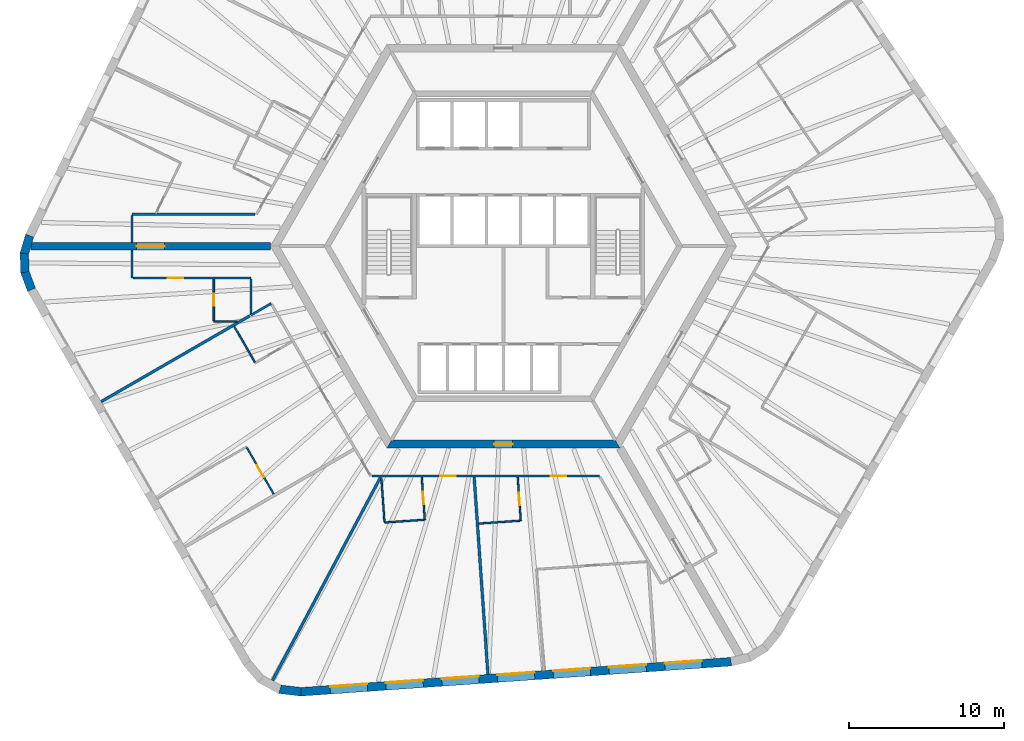
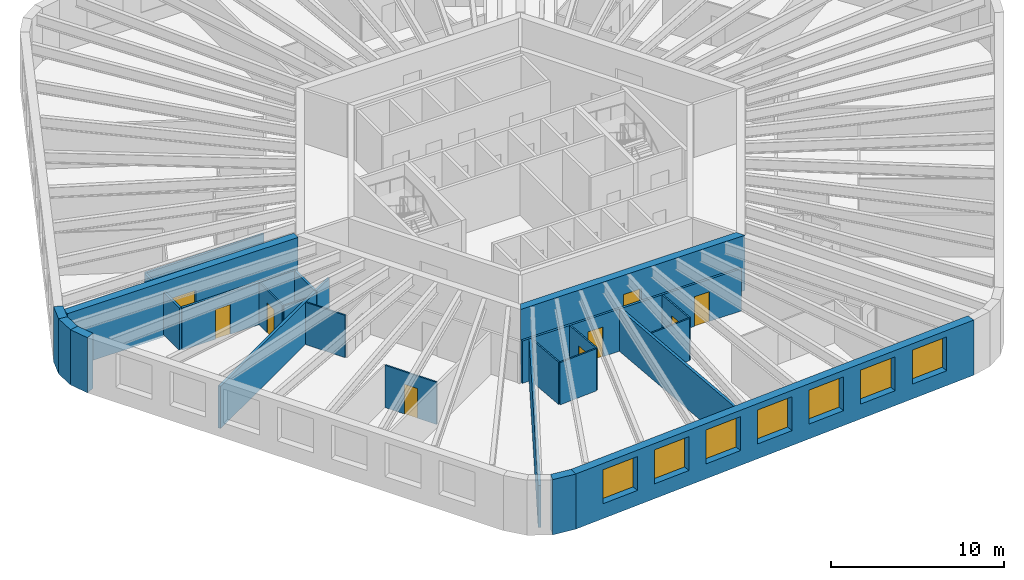
# One storey, part 3 of 10: 26 walls, 9 doors, 7 windows, 16 openings.
"""IFC4 building model written with IfcOpenShell, lengths in metres."""

from ifc_helpers import new_model, si_unit, direction, frame, frame_2d, origin, place, context, subcontext, project, spatial, polyline, rectangle, outline, extrude, material, layer, layer_set, type_object, element, fill, save


model = new_model("IFC4")

# Units and contexts
model_context = context("Model", 3, precision=1e-05, world=origin(), true_north=direction((0.0, 1.0)))
body_context = subcontext(model_context, "Body", "Model", "MODEL_VIEW")
ifc_project = project(units=[si_unit("LENGTHUNIT", "METRE"), si_unit("AREAUNIT", "SQUARE_METRE"), si_unit("VOLUMEUNIT", "CUBIC_METRE"), si_unit("PLANEANGLEUNIT", "RADIAN"), si_unit("MASSUNIT", "GRAM", prefix="KILO")], contexts=[model_context])

# Site, building, storey
site_placement = place(None, origin())
site = spatial("IfcSite", under=ifc_project, at=site_placement, CompositionType="ELEMENT")
building_placement = place(site_placement, origin())
building = spatial("IfcBuilding", under=site, at=building_placement, Name="Tarnside Tower", CompositionType="ELEMENT")
storey_placement = place(building_placement, frame((0.0, 0.0, 180.0)))
storey = spatial("IfcBuildingStorey", under=building, at=storey_placement, Name="L42", CompositionType="ELEMENT", Elevation=180.0)

# Wall
ifc_material_1 = material(Name="Gypsum board partition on steel studs", Category="steel")
ifc_layer_1 = layer(ifc_material_1, 0.10009765625)
ifc_layer_set_1 = layer_set([ifc_layer_1], Name="Bathroom wall 100")
wall_type_1 = type_object("IfcWallType", Name="Bathroom wall 100", PredefinedType="PARTITIONING", material=ifc_layer_set_1)
wall_1_placement = place(storey_placement, frame((-17.144775390625, -4.85009765625, 0.0), z_axis=(0.0, 0.0, 1.0), x_axis=(-1.0, 0.0, 0.0)))
element("IfcWall", 1, at=wall_1_placement, inside=storey, type_object=wall_type_1, Name="Bathroom wall 13070", PredefinedType="PARTITIONING", context=body_context, shape_type="SweptSolid", body=[
    extrude(rectangle(XDim=1.51123046875, YDim=0.10009765625, at=frame_2d((0.755615234375, 0.0))), origin(), (0.0, 0.0, 1.0), 2.98779296875),
])

# Wall, opening, door
wall_2_placement = place(storey_placement, frame((-18.656005859375, -4.800048828125, 0.0), z_axis=(0.0, 0.0, 1.0), x_axis=(0.0, 1.0, 0.0)))
wall_2 = element("IfcWall", 2, at=wall_2_placement, inside=storey, type_object=wall_type_1, Name="Bathroom wall 13071", PredefinedType="PARTITIONING", context=body_context, shape_type="SweptSolid", body=[
    extrude(rectangle(XDim=2.675048828125, YDim=0.10009765625, at=frame_2d((1.33740234375, 0.0))), origin(), (0.0, 0.0, 1.0), 2.98779296875),
])
opening_1_placement = place(wall_2_placement, frame((0.949951171875, 0.0, 0.0)))
opening_1 = element("IfcOpeningElement", 3, at=opening_1_placement, cuts=wall_2, Name="Opening D-B1", PredefinedType="OPENING", context=body_context, shape_type="SweptSolid", body=[
    extrude(rectangle(XDim=0.800048828125, YDim=2.10009765625, at=frame_2d((0.39990234375, 1.050048828125))), frame((0.0, 0.06005859375, 0.0), z_axis=(0.0, -1.0, 0.0), x_axis=(1.0, 0.0, 0.0)), (0.0, 0.0, 1.0), 0.1201171875),
])
ifc_material_2 = material(Name="Timber door leaf", Category="wood")
door_type_1 = type_object("IfcDoorType", Name="Bathroom door 800", OperationType="NOTDEFINED", PredefinedType="DOOR", material=ifc_material_2)
door_1_placement = place(opening_1_placement, origin())
door_1 = element("IfcDoor", 4, at=door_1_placement, inside=storey, type_object=door_type_1, Name="Bathroom door 13013", OperationType="SINGLE_SWING_RIGHT", OverallHeight=2.10009765625, OverallWidth=0.800048828125, PredefinedType="DOOR", context=body_context, shape_type="SweptSolid", body=[
    extrude(rectangle(XDim=0.800048828125, YDim=2.10009765625, at=frame_2d((0.39990234375, 1.050048828125))), frame((0.0, 0.02490234375, 0.0), z_axis=(0.0, -1.0, 0.0), x_axis=(1.0, 0.0, 0.0)), (0.0, 0.0, 1.0), 0.050048828125),
])
fill(opening_1, door_1)

# Wall
wall_3_placement = place(storey_placement, frame((-16.008056640625, -7.47314453125, 0.0), z_axis=(0.0, 0.0, 1.0), x_axis=(-0.500008456887, 0.866020521143, 0.0)))
element("IfcWall", 5, at=wall_3_placement, inside=storey, type_object=wall_type_1, Name="Bathroom wall 13076", PredefinedType="PARTITIONING", context=body_context, shape_type="SweptSolid", body=[
    extrude(rectangle(XDim=2.66015625, YDim=0.10009765625, at=frame_2d((1.330078125, 0.0))), origin(), (0.0, 0.0, 1.0), 2.98779296875),
])

# Wall, opening, door
wall_4_placement = place(storey_placement, frame((-5.2578125, -14.875, 0.0), z_axis=(0.0, 0.0, 1.0), x_axis=(0.069828244755, -0.997559028947, 0.0)))
wall_4 = element("IfcWall", 6, at=wall_4_placement, inside=storey, type_object=wall_type_1, Name="Bathroom wall 13082", PredefinedType="PARTITIONING", context=body_context, shape_type="SweptSolid", body=[
    extrude(rectangle(XDim=2.751708984375, YDim=0.10009765625, at=frame_2d((1.3759765625, 0.0))), origin(), (0.0, 0.0, 1.0), 2.98779296875),
])
opening_2_placement = place(wall_4_placement, frame((0.95166015625, 0.0, 0.0)))
opening_2 = element("IfcOpeningElement", 7, at=opening_2_placement, cuts=wall_4, Name="Opening D-B1", PredefinedType="OPENING", context=body_context, shape_type="SweptSolid", body=[
    extrude(rectangle(XDim=0.800048828125, YDim=2.10009765625, at=frame_2d((0.39990234375, 1.050048828125))), frame((0.0, 0.06005859375, 0.0), z_axis=(0.0, -1.0, 0.0), x_axis=(1.0, 0.0, 0.0)), (0.0, 0.0, 1.0), 0.1201171875),
])
door_2_placement = place(opening_2_placement, origin())
door_2 = element("IfcDoor", 8, at=door_2_placement, inside=storey, type_object=door_type_1, Name="Bathroom door 13019", OperationType="SINGLE_SWING_LEFT", OverallHeight=2.10009765625, OverallWidth=0.800048828125, PredefinedType="DOOR", context=body_context, shape_type="SweptSolid", body=[
    extrude(rectangle(XDim=0.800048828125, YDim=2.10009765625, at=frame_2d((0.39990234375, 1.050048828125))), frame((0.0, 0.02490234375, 0.0), z_axis=(0.0, -1.0, 0.0), x_axis=(1.0, 0.0, 0.0)), (0.0, 0.0, 1.0), 0.050048828125),
])
fill(opening_2, door_2)

# Walls
wall_5_placement = place(storey_placement, frame((-5.11572265625, -17.623291015625, 0.0), z_axis=(0.0, 0.0, 1.0), x_axis=(-0.997561167558, -0.069797686069, 0.0)))
element("IfcWall", 9, at=wall_5_placement, inside=storey, type_object=wall_type_1, Name="Bathroom wall 13083", PredefinedType="PARTITIONING", context=body_context, shape_type="SweptSolid", body=[
    extrude(rectangle(XDim=2.5498046875, YDim=0.10009765625, at=frame_2d((1.27490234375, 0.0))), origin(), (0.0, 0.0, 1.0), 2.98779296875),
])
wall_6_placement = place(storey_placement, frame((-7.662841796875, -17.751220703125, 0.0), z_axis=(0.0, 0.0, 1.0), x_axis=(-0.069778595312, 0.997562503123, 0.0)))
element("IfcWall", 10, at=wall_6_placement, inside=storey, type_object=wall_type_1, Name="Bathroom wall 13084", PredefinedType="PARTITIONING", context=body_context, shape_type="SweptSolid", body=[
    extrude(rectangle(XDim=2.78857421875, YDim=0.10009765625, at=frame_2d((1.394287109375, 0.0))), origin(), (0.0, 0.0, 1.0), 2.98779296875),
])

# Wall, opening, door
wall_7_placement = place(storey_placement, frame((0.921875, -14.875, 0.0), z_axis=(0.0, 0.0, 1.0), x_axis=(0.069759103431, -0.997563866371, 0.0)))
wall_7 = element("IfcWall", 11, at=wall_7_placement, inside=storey, type_object=wall_type_1, Name="Bathroom wall 13087", PredefinedType="PARTITIONING", context=body_context, shape_type="SweptSolid", body=[
    extrude(rectangle(XDim=2.810302734375, YDim=0.10009765625, at=frame_2d((1.4052734375, 0.0))), origin(), (0.0, 0.0, 1.0), 2.98779296875),
])
opening_3_placement = place(wall_7_placement, frame((1.010498046875, 0.0, 0.0)))
opening_3 = element("IfcOpeningElement", 12, at=opening_3_placement, cuts=wall_7, Name="Opening D-B1", PredefinedType="OPENING", context=body_context, shape_type="SweptSolid", body=[
    extrude(rectangle(XDim=0.800048828125, YDim=2.10009765625, at=frame_2d((0.39990234375, 1.050048828125))), frame((0.0, 0.06005859375, 0.0), z_axis=(0.0, -1.0, 0.0), x_axis=(1.0, 0.0, 0.0)), (0.0, 0.0, 1.0), 0.1201171875),
])
door_3_placement = place(opening_3_placement, origin())
door_3 = element("IfcDoor", 13, at=door_3_placement, inside=storey, type_object=door_type_1, Name="Bathroom door 13021", OperationType="SINGLE_SWING_RIGHT", OverallHeight=2.10009765625, OverallWidth=0.800048828125, PredefinedType="DOOR", context=body_context, shape_type="SweptSolid", body=[
    extrude(rectangle(XDim=0.800048828125, YDim=2.10009765625, at=frame_2d((0.39990234375, 1.050048828125))), frame((0.0, 0.02490234375, 0.0), z_axis=(0.0, -1.0, 0.0), x_axis=(1.0, 0.0, 0.0)), (0.0, 0.0, 1.0), 0.050048828125),
])
fill(opening_3, door_3)

# Wall
wall_8_placement = place(storey_placement, frame((1.068115234375, -17.68212890625, 0.0), z_axis=(0.0, 0.0, 1.0), x_axis=(-0.997564270717, -0.069753320981, 0.0)))
element("IfcWall", 14, at=wall_8_placement, inside=storey, type_object=wall_type_1, Name="Bathroom wall 13088", PredefinedType="PARTITIONING", context=body_context, shape_type="SweptSolid", body=[
    extrude(rectangle(XDim=2.66015625, YDim=0.10009765625, at=frame_2d((1.330078125, 0.0))), origin(), (0.0, 0.0, 1.0), 2.98779296875),
])

# Wall, opening, door
ifc_material_3 = material(Name="Concrete C70/85", Category="concrete")
ifc_layer_2 = layer(ifc_material_3, 0.5)
ifc_layer_set_2 = layer_set([ifc_layer_2], Name="Core wall Z2 500 C70/85")
wall_type_2 = type_object("IfcWallType", Name="Core wall Z2 500 C70/85", PredefinedType="SHEAR", material=ifc_layer_set_2)
wall_9_placement = place(storey_placement, frame((-7.361083984375, -12.75, -0.14990234375), z_axis=(0.0, 0.0, 1.0), x_axis=(1.0, 0.0, 0.0)))
wall_9 = element("IfcWall", 15, at=wall_9_placement, inside=storey, type_object=wall_type_2, Name="L42 core wall face 4", PredefinedType="SHEAR", context=body_context, shape_type="SweptSolid", body=[
    extrude(outline(polyline([(-0.144287109375, -0.25), (14.866455078125, -0.25), (14.577880859375, 0.25), (0.144287109375, 0.25), (-0.144287109375, -0.25)])), origin(), (0.0, 0.0, 1.0), 3.89990234375),
])
opening_4_placement = place(wall_9_placement, frame((6.76123046875, 0.0, 0.14990234375)))
opening_4 = element("IfcOpeningElement", 16, at=opening_4_placement, cuts=wall_9, Name="Opening CD-RSR", PredefinedType="OPENING", context=body_context, shape_type="SweptSolid", body=[
    extrude(rectangle(XDim=1.199951171875, YDim=2.39990234375, at=frame_2d((0.60009765625, 1.199951171875))), frame((0.0, 0.260009765625, 0.0), z_axis=(0.0, -1.0, 0.0), x_axis=(1.0, 0.0, 0.0)), (0.0, 0.0, 1.0), 0.52001953125),
])
ifc_material_4 = material(Name="Steel fire door", Category="steel")
door_type_2 = type_object("IfcDoorType", Name="Riser door FD60 1200x2400", OperationType="NOTDEFINED", PredefinedType="DOOR", material=ifc_material_4)
door_4_placement = place(opening_4_placement, origin())
door_4 = element("IfcDoor", 17, at=door_4_placement, inside=storey, type_object=door_type_2, Name="L42 core door S6", OperationType="SINGLE_SWING_LEFT", OverallHeight=2.39990234375, OverallWidth=1.199951171875, PredefinedType="DOOR", context=body_context, shape_type="SweptSolid", body=[
    extrude(rectangle(XDim=1.199951171875, YDim=2.39990234375, at=frame_2d((0.60009765625, 1.199951171875))), frame((0.0, 0.02490234375, 0.0), z_axis=(0.0, -1.0, 0.0), x_axis=(1.0, 0.0, 0.0)), (0.0, 0.0, 1.0), 0.050048828125),
])
fill(opening_4, door_4)

wall_10_placement = place(storey_placement, frame((-15.010986328125, 0.0, -0.14990234375), z_axis=(0.0, 0.0, 1.0), x_axis=(-1.0, 0.0, 0.0)))
wall_10 = element("IfcWall", 18, at=wall_10_placement, inside=storey, type_object=wall_type_2, Name="L42 spine wall 2", PredefinedType="SHEAR", context=body_context, shape_type="SweptSolid", body=[
    extrude(rectangle(XDim=15.423828125, YDim=0.5, at=frame_2d((7.7119140625, 0.0))), origin(), (0.0, 0.0, 1.0), 3.89990234375),
])
opening_5_placement = place(wall_10_placement, frame((6.811767578125, 0.0, 0.14990234375)))
opening_5 = element("IfcOpeningElement", 19, at=opening_5_placement, cuts=wall_10, Name="Opening CD-SPN", PredefinedType="OPENING", context=body_context, shape_type="SweptSolid", body=[
    extrude(rectangle(XDim=1.800048828125, YDim=2.39990234375, at=frame_2d((0.89990234375, 1.199951171875))), frame((0.0, 0.260009765625, 0.0), z_axis=(0.0, -1.0, 0.0), x_axis=(1.0, 0.0, 0.0)), (0.0, 0.0, 1.0), 0.52001953125),
])
door_type_3 = type_object("IfcDoorType", Name="Spine passage double door FD60 1800x2400", OperationType="NOTDEFINED", PredefinedType="DOOR", material=ifc_material_4)
door_5_placement = place(opening_5_placement, origin())
door_5 = element("IfcDoor", 20, at=door_5_placement, inside=storey, type_object=door_type_3, Name="L42 spine passage door 2", OperationType="DOUBLE_DOOR_SINGLE_SWING", OverallHeight=2.39990234375, OverallWidth=1.800048828125, PredefinedType="DOOR", context=body_context, shape_type="SweptSolid", body=[
    extrude(rectangle(XDim=1.800048828125, YDim=2.39990234375, at=frame_2d((0.89990234375, 1.199951171875))), frame((0.0, 0.02490234375, 0.0), z_axis=(0.0, -1.0, 0.0), x_axis=(1.0, 0.0, 0.0)), (0.0, 0.0, 1.0), 0.050048828125),
])
fill(opening_5, door_5)

# Walls
ifc_layer_3 = layer(ifc_material_1, 0.14990234375)
ifc_layer_set_3 = layer_set([ifc_layer_3], Name="Corridor wall 150 EI 60")
wall_type_3 = type_object("IfcWallType", Name="Corridor wall 150 EI 60", PredefinedType="PARTITIONING", material=ifc_layer_set_3)
wall_11_placement = place(storey_placement, frame((-15.99267578125, 2.050048828125, 0.0), z_axis=(0.0, 0.0, 1.0), x_axis=(-1.0, 0.0, 0.0)))
element("IfcWall", 21, at=wall_11_placement, inside=storey, type_object=wall_type_3, Name="Corridor wall 13013", PredefinedType="PARTITIONING", context=body_context, shape_type="SweptSolid", body=[
    extrude(rectangle(XDim=7.93017578125, YDim=0.14990234375, at=frame_2d((3.965087890625, 0.0))), origin(), (0.0, 0.0, 1.0), 2.98779296875),
])
wall_12_placement = place(storey_placement, frame((-23.9228515625, 1.97509765625, 0.0), z_axis=(0.0, 0.0, 1.0), x_axis=(0.0, -1.0, 0.0)))
element("IfcWall", 22, at=wall_12_placement, inside=storey, type_object=wall_type_3, Name="Corridor wall 13016", PredefinedType="PARTITIONING", context=body_context, shape_type="SweptSolid", body=[
    extrude(rectangle(XDim=1.72509765625, YDim=0.14990234375, at=frame_2d((0.862548828125, 0.0))), origin(), (0.0, 0.0, 1.0), 2.98779296875),
])
wall_13_placement = place(storey_placement, frame((-23.9228515625, -0.25, 0.0), z_axis=(0.0, 0.0, 1.0), x_axis=(0.0, -1.0, 0.0)))
element("IfcWall", 23, at=wall_13_placement, inside=storey, type_object=wall_type_3, Name="Corridor wall 13017", PredefinedType="PARTITIONING", context=body_context, shape_type="SweptSolid", body=[
    extrude(rectangle(XDim=1.800048828125, YDim=0.14990234375, at=frame_2d((0.89990234375, 0.0))), origin(), (0.0, 0.0, 1.0), 2.98779296875),
])

# Wall, opening, door
wall_14_placement = place(storey_placement, frame((-23.847900390625, -2.050048828125, 0.0), z_axis=(0.0, 0.0, 1.0), x_axis=(1.0, 0.0, 0.0)))
wall_14 = element("IfcWall", 24, at=wall_14_placement, inside=storey, type_object=wall_type_3, Name="Corridor wall 13018", PredefinedType="PARTITIONING", context=body_context, shape_type="SweptSolid", body=[
    extrude(rectangle(XDim=7.591796875, YDim=0.14990234375, at=frame_2d((3.7958984375, 0.0))), origin(), (0.0, 0.0, 1.0), 2.98779296875),
])
opening_6_placement = place(wall_14_placement, frame((2.2333984375, 0.0, 0.0)))
opening_6 = element("IfcOpeningElement", 25, at=opening_6_placement, cuts=wall_14, Name="Opening D-E1", PredefinedType="OPENING", context=body_context, shape_type="SweptSolid", body=[
    extrude(rectangle(XDim=1.0, YDim=2.10009765625, at=frame_2d((0.5, 1.050048828125))), frame((0.0, 0.0849609375, 0.0), z_axis=(0.0, -1.0, 0.0), x_axis=(1.0, 0.0, 0.0)), (0.0, 0.0, 1.0), 0.169921875),
])
door_type_4 = type_object("IfcDoorType", Name="Unit entrance door 1000 FD30S", OperationType="NOTDEFINED", PredefinedType="DOOR", material=ifc_material_2)
door_6_placement = place(opening_6_placement, origin())
door_6 = element("IfcDoor", 26, at=door_6_placement, inside=storey, type_object=door_type_4, Name="Unit door 13012", OperationType="SINGLE_SWING_LEFT", OverallHeight=2.10009765625, OverallWidth=1.0, PredefinedType="DOOR", context=body_context, shape_type="SweptSolid", body=[
    extrude(rectangle(XDim=1.0, YDim=2.10009765625, at=frame_2d((0.5, 1.050048828125))), frame((0.0, 0.02490234375, 0.0), z_axis=(0.0, -1.0, 0.0), x_axis=(1.0, 0.0, 0.0)), (0.0, 0.0, 1.0), 0.050048828125),
])
fill(opening_6, door_6)

# Walls
wall_15_placement = place(storey_placement, frame((-16.256103515625, -2.125, 0.0), z_axis=(0.0, 0.0, 1.0), x_axis=(0.0, -1.0, 0.0)))
element("IfcWall", 27, at=wall_15_placement, inside=storey, type_object=wall_type_3, Name="Corridor wall 13020", PredefinedType="PARTITIONING", context=body_context, shape_type="SweptSolid", body=[
    extrude(rectangle(XDim=2.31591796875, YDim=0.14990234375, at=frame_2d((1.157958984375, 0.0))), origin(), (0.0, 0.0, 1.0), 2.98779296875),
])
wall_16_placement = place(storey_placement, frame((-16.25927734375, -4.44287109375, 0.0), z_axis=(0.0, 0.0, 1.0), x_axis=(0.866004263386, 0.500036614457, 0.0)))
element("IfcWall", 28, at=wall_16_placement, inside=storey, type_object=wall_type_3, Name="Corridor wall 13022", PredefinedType="PARTITIONING", context=body_context, shape_type="SweptSolid", body=[
    extrude(rectangle(XDim=1.50244140625, YDim=0.14990234375, at=frame_2d((0.751220703125, 0.0))), origin(), (0.0, 0.0, 1.0), 2.98779296875),
])

# Wall, openings, doors
wall_17_placement = place(storey_placement, frame((-8.458251953125, -14.800048828125, 0.0), z_axis=(0.0, 0.0, 1.0), x_axis=(1.0, 0.0, 0.0)))
wall_17 = element("IfcWall", 29, at=wall_17_placement, inside=storey, type_object=wall_type_3, Name="Corridor wall 13025", PredefinedType="PARTITIONING", context=body_context, shape_type="SweptSolid", body=[
    extrude(rectangle(XDim=14.635986328125, YDim=0.14990234375, at=frame_2d((7.31787109375, 0.0))), origin(), (0.0, 0.0, 1.0), 2.98779296875),
])
opening_7_placement = place(wall_17_placement, frame((4.375244140625, 0.0, 0.0)))
opening_7 = element("IfcOpeningElement", 30, at=opening_7_placement, cuts=wall_17, Name="Opening D-E1", PredefinedType="OPENING", context=body_context, shape_type="SweptSolid", body=[
    extrude(rectangle(XDim=1.0, YDim=2.10009765625, at=frame_2d((0.5, 1.050048828125))), frame((0.0, 0.0849609375, 0.0), z_axis=(0.0, -1.0, 0.0), x_axis=(1.0, 0.0, 0.0)), (0.0, 0.0, 1.0), 0.169921875),
])
opening_8_placement = place(wall_17_placement, frame((11.49853515625, 0.0, 0.0)))
opening_8 = element("IfcOpeningElement", 31, at=opening_8_placement, cuts=wall_17, Name="Opening D-E1", PredefinedType="OPENING", context=body_context, shape_type="SweptSolid", body=[
    extrude(rectangle(XDim=1.0, YDim=2.10009765625, at=frame_2d((0.5, 1.050048828125))), frame((0.0, 0.0849609375, 0.0), z_axis=(0.0, -1.0, 0.0), x_axis=(1.0, 0.0, 0.0)), (0.0, 0.0, 1.0), 0.169921875),
])
door_7_placement = place(opening_7_placement, origin())
door_7 = element("IfcDoor", 32, at=door_7_placement, inside=storey, type_object=door_type_4, Name="Unit door 13018", OperationType="SINGLE_SWING_LEFT", OverallHeight=2.10009765625, OverallWidth=1.0, PredefinedType="DOOR", context=body_context, shape_type="SweptSolid", body=[
    extrude(rectangle(XDim=1.0, YDim=2.10009765625, at=frame_2d((0.5, 1.050048828125))), frame((0.0, 0.02490234375, 0.0), z_axis=(0.0, -1.0, 0.0), x_axis=(1.0, 0.0, 0.0)), (0.0, 0.0, 1.0), 0.050048828125),
])
fill(opening_7, door_7)
door_8_placement = place(opening_8_placement, origin())
door_8 = element("IfcDoor", 33, at=door_8_placement, inside=storey, type_object=door_type_4, Name="Unit door 13020", OperationType="SINGLE_SWING_RIGHT", OverallHeight=2.10009765625, OverallWidth=1.0, PredefinedType="DOOR", context=body_context, shape_type="SweptSolid", body=[
    extrude(rectangle(XDim=1.0, YDim=2.10009765625, at=frame_2d((0.5, 1.050048828125))), frame((0.0, 0.02490234375, 0.0), z_axis=(0.0, -1.0, 0.0), x_axis=(1.0, 0.0, 0.0)), (0.0, 0.0, 1.0), 0.050048828125),
])
fill(opening_8, door_8)

# Walls
ifc_layer_4 = layer(ifc_material_1, 0.179931640625)
ifc_layer_set_4 = layer_set([ifc_layer_4], Name="Demising wall 180 EI 60")
wall_type_4 = type_object("IfcWallType", Name="Demising wall 180 EI 60", PredefinedType="PARTITIONING", material=ifc_layer_set_4)
wall_18_placement = place(storey_placement, frame((-25.91357421875, -10.0166015625, 0.0), z_axis=(0.0, 0.0, 1.0), x_axis=(0.866021744024, 0.500006338837, 0.0)))
element("IfcWall", 34, at=wall_18_placement, inside=storey, type_object=wall_type_4, Name="Demising wall 13072", PredefinedType="PARTITIONING", context=body_context, shape_type="SweptSolid", body=[
    extrude(rectangle(XDim=11.067138671875, YDim=0.179931640625, at=frame_2d((5.53369140625, 0.0))), origin(), (0.0, 0.0, 1.0), 2.98779296875),
])
wall_19_placement = place(storey_placement, frame((-14.875732421875, -27.97705078125, 0.0), z_axis=(0.0, 0.0, 1.0), x_axis=(0.469475175214, 0.882945672088, 0.0)))
element("IfcWall", 35, at=wall_19_placement, inside=storey, type_object=wall_type_4, Name="Demising wall 13081", PredefinedType="PARTITIONING", context=body_context, shape_type="SweptSolid", body=[
    extrude(rectangle(XDim=14.839111328125, YDim=0.179931640625, at=frame_2d((7.41943359375, 0.0))), origin(), (0.0, 0.0, 1.0), 2.98779296875),
])
wall_20_placement = place(storey_placement, frame((-0.99609375, -27.586669921875, 0.0), z_axis=(0.0, 0.0, 1.0), x_axis=(-0.069758774678, 0.99756388936, 0.0)))
element("IfcWall", 36, at=wall_20_placement, inside=storey, type_object=wall_type_4, Name="Demising wall 13085", PredefinedType="PARTITIONING", context=body_context, shape_type="SweptSolid", body=[
    extrude(rectangle(XDim=12.74267578125, YDim=0.179931640625, at=frame_2d((6.371337890625, 0.0))), origin(), (0.0, 0.0, 1.0), 2.98779296875),
])

# Wall, opening, door
ifc_layer_5 = layer(ifc_material_1, 0.10009765625)
ifc_layer_set_5 = layer_set([ifc_layer_5], Name="Partition 100")
wall_type_5 = type_object("IfcWallType", Name="Partition 100", PredefinedType="PARTITIONING", material=ifc_layer_set_5)
wall_21_placement = place(storey_placement, frame((-16.529296875, -12.97021484375, 0.0), z_axis=(0.0, 0.0, 1.0), x_axis=(0.499978980201, -0.866037539231, 0.0)))
wall_21 = element("IfcWall", 37, at=wall_21_placement, inside=storey, type_object=wall_type_5, Name="Partition wall 13078", PredefinedType="PARTITIONING", context=body_context, shape_type="SweptSolid", body=[
    extrude(rectangle(XDim=3.460205078125, YDim=0.10009765625, at=frame_2d((1.72998046875, 0.0))), origin(), (0.0, 0.0, 1.0), 2.98779296875),
])
opening_9_placement = place(wall_21_placement, frame((1.300048828125, 0.0, 0.0)))
opening_9 = element("IfcOpeningElement", 38, at=opening_9_placement, cuts=wall_21, Name="Opening D-I1", PredefinedType="OPENING", context=body_context, shape_type="SweptSolid", body=[
    extrude(rectangle(XDim=0.89990234375, YDim=2.10009765625, at=frame_2d((0.449951171875, 1.050048828125))), frame((0.0, 0.06005859375, 0.0), z_axis=(0.0, -1.0, 0.0), x_axis=(1.0, 0.0, 0.0)), (0.0, 0.0, 1.0), 0.1201171875),
])
door_type_5 = type_object("IfcDoorType", Name="Internal door 900", OperationType="NOTDEFINED", PredefinedType="DOOR", material=ifc_material_2)
door_9_placement = place(opening_9_placement, origin())
door_9 = element("IfcDoor", 39, at=door_9_placement, inside=storey, type_object=door_type_5, Name="Internal door 13016", OperationType="SINGLE_SWING_LEFT", OverallHeight=2.10009765625, OverallWidth=0.89990234375, PredefinedType="DOOR", context=body_context, shape_type="SweptSolid", body=[
    extrude(rectangle(XDim=0.89990234375, YDim=2.10009765625, at=frame_2d((0.449951171875, 1.050048828125))), frame((0.0, 0.02490234375, 0.0), z_axis=(0.0, -1.0, 0.0), x_axis=(1.0, 0.0, 0.0)), (0.0, 0.0, 1.0), 0.050048828125),
])
fill(opening_9, door_9)

# Walls
ifc_material_5 = material(Name="Facing brick", Category="masonry")
ifc_layer_6 = layer(ifc_material_5, 0.10205078125)
ifc_material_6 = material(Name="Concrete C60/75 precast", Category="concrete")
ifc_layer_7 = layer(ifc_material_6, 0.347900390625)
ifc_material_7 = material(Name="Mineral wool insulation")
ifc_layer_8 = layer(ifc_material_7, 0.10009765625)
ifc_layer_set_6 = layer_set([ifc_layer_6, ifc_layer_7, ifc_layer_8], Name="Tube wall 550 brick faced")
wall_type_6 = type_object("IfcWallType", Name="Tube wall 550 brick faced", PredefinedType="SOLIDWALL", material=ifc_layer_set_6)
wall_22_placement = place(storey_placement, frame((-30.51318359375, 0.684326171875, -0.14990234375), z_axis=(0.0, 0.0, 1.0), x_axis=(-0.286736058109, -0.958009620505, 0.0)))
element("IfcWall", 40, at=wall_22_placement, inside=storey, type_object=wall_type_6, Name="Tube wall L42 F2 chord 05", PredefinedType="SOLIDWALL", context=body_context, shape_type="SweptSolid", body=[
    extrude(outline(polyline([(-0.0224609375, -0.27490234375), (1.25341796875, -0.27490234375), (1.1630859375, 0.27490234375), (0.0224609375, 0.27490234375), (-0.0224609375, -0.27490234375)])), origin(), (0.0, 0.0, 1.0), 3.89990234375),
])
wall_23_placement = place(storey_placement, frame((-30.859619140625, -0.47314453125, -0.14990234375), z_axis=(0.0, 0.0, 1.0), x_axis=(0.03495638276, -0.999388838893, 0.0)))
element("IfcWall", 41, at=wall_23_placement, inside=storey, type_object=wall_type_6, Name="Tube wall L42 F2 chord 06", PredefinedType="SOLIDWALL", context=body_context, shape_type="SweptSolid", body=[
    extrude(outline(polyline([(-0.045166015625, -0.27490234375), (1.25341796875, -0.27490234375), (1.1630859375, 0.27490234375), (0.045166015625, 0.27490234375), (-0.045166015625, -0.27490234375)])), origin(), (0.0, 0.0, 1.0), 3.89990234375),
])
wall_24_placement = place(storey_placement, frame((-30.8173828125, -1.6806640625, -0.14990234375), z_axis=(0.0, 0.0, 1.0), x_axis=(0.352850303963, -0.935679786569, 0.0)))
element("IfcWall", 42, at=wall_24_placement, inside=storey, type_object=wall_type_6, Name="Tube wall L42 F2 chord 07", PredefinedType="SOLIDWALL", context=body_context, shape_type="SweptSolid", body=[
    extrude(outline(polyline([(-0.045166015625, -0.27490234375), (1.23046875, -0.27490234375), (1.185546875, 0.27490234375), (0.045166015625, 0.27490234375), (-0.045166015625, -0.27490234375)])), origin(), (0.0, 0.0, 1.0), 3.89990234375),
])
wall_25_placement = place(storey_placement, frame((-14.39599609375, -28.54345703125, -0.14990234375), z_axis=(0.0, 0.0, 1.0), x_axis=(0.993232537394, -0.11614269956, 0.0)))
element("IfcWall", 43, at=wall_25_placement, inside=storey, type_object=wall_type_6, Name="Tube wall L42 F3 chord 11", PredefinedType="SOLIDWALL", context=body_context, shape_type="SweptSolid", body=[
    extrude(outline(polyline([(-0.0517578125, -0.27490234375), (1.404541015625, -0.27490234375), (1.353271484375, 0.27490234375), (0.0517578125, 0.27490234375), (-0.0517578125, -0.27490234375)])), origin(), (0.0, 0.0, 1.0), 3.89990234375),
])

# Wall, openings, windows
wall_26_placement = place(storey_placement, frame((-13.0263671875, -28.70361328125, -0.14990234375), z_axis=(0.0, 0.0, 1.0), x_axis=(0.99756406806, 0.069756219185, 0.0)))
wall_26 = element("IfcWall", 44, at=wall_26_placement, inside=storey, type_object=wall_type_6, Name="Tube wall L42 F4 flush 12", PredefinedType="SOLIDWALL", context=body_context, shape_type="SweptSolid", body=[
    extrude(outline(polyline([(-0.025634765625, -0.27490234375), (27.7802734375, -0.27490234375), (27.7353515625, 0.27490234375), (0.025634765625, 0.27490234375), (-0.025634765625, -0.27490234375)])), origin(), (0.0, 0.0, 1.0), 3.89990234375),
])
opening_10_placement = place(wall_26_placement, frame((1.87890625, 0.0, 1.050048828125)))
opening_10 = element("IfcOpeningElement", 45, at=opening_10_placement, cuts=wall_26, Name="Opening WH", PredefinedType="OPENING", context=body_context, shape_type="SweptSolid", body=[
    extrude(rectangle(XDim=2.39990234375, YDim=2.39990234375, at=frame_2d((1.199951171875, 1.199951171875))), frame((0.0, 0.28515625, 0.0), z_axis=(0.0, -1.0, 0.0), x_axis=(1.0, 0.0, 0.0)), (0.0, 0.0, 1.0), 0.570068359375),
])
opening_11_placement = place(wall_26_placement, frame((5.47900390625, 0.0, 1.050048828125)))
opening_11 = element("IfcOpeningElement", 46, at=opening_11_placement, cuts=wall_26, Name="Opening WH", PredefinedType="OPENING", context=body_context, shape_type="SweptSolid", body=[
    extrude(rectangle(XDim=2.39990234375, YDim=2.39990234375, at=frame_2d((1.199951171875, 1.199951171875))), frame((0.0, 0.28515625, 0.0), z_axis=(0.0, -1.0, 0.0), x_axis=(1.0, 0.0, 0.0)), (0.0, 0.0, 1.0), 0.570068359375),
])
opening_12_placement = place(wall_26_placement, frame((9.078857421875, 0.0, 1.050048828125)))
opening_12 = element("IfcOpeningElement", 47, at=opening_12_placement, cuts=wall_26, Name="Opening WH", PredefinedType="OPENING", context=body_context, shape_type="SweptSolid", body=[
    extrude(rectangle(XDim=2.39990234375, YDim=2.39990234375, at=frame_2d((1.199951171875, 1.199951171875))), frame((0.0, 0.28515625, 0.0), z_axis=(0.0, -1.0, 0.0), x_axis=(1.0, 0.0, 0.0)), (0.0, 0.0, 1.0), 0.570068359375),
])
opening_13_placement = place(wall_26_placement, frame((12.678955078125, 0.0, 1.050048828125)))
opening_13 = element("IfcOpeningElement", 48, at=opening_13_placement, cuts=wall_26, Name="Opening WH", PredefinedType="OPENING", context=body_context, shape_type="SweptSolid", body=[
    extrude(rectangle(XDim=2.39990234375, YDim=2.39990234375, at=frame_2d((1.199951171875, 1.199951171875))), frame((0.0, 0.28515625, 0.0), z_axis=(0.0, -1.0, 0.0), x_axis=(1.0, 0.0, 0.0)), (0.0, 0.0, 1.0), 0.570068359375),
])
opening_14_placement = place(wall_26_placement, frame((16.27880859375, 0.0, 1.050048828125)))
opening_14 = element("IfcOpeningElement", 49, at=opening_14_placement, cuts=wall_26, Name="Opening WH", PredefinedType="OPENING", context=body_context, shape_type="SweptSolid", body=[
    extrude(rectangle(XDim=2.39990234375, YDim=2.39990234375, at=frame_2d((1.199951171875, 1.199951171875))), frame((0.0, 0.28515625, 0.0), z_axis=(0.0, -1.0, 0.0), x_axis=(1.0, 0.0, 0.0)), (0.0, 0.0, 1.0), 0.570068359375),
])
opening_15_placement = place(wall_26_placement, frame((19.87890625, 0.0, 1.050048828125)))
opening_15 = element("IfcOpeningElement", 50, at=opening_15_placement, cuts=wall_26, Name="Opening WH", PredefinedType="OPENING", context=body_context, shape_type="SweptSolid", body=[
    extrude(rectangle(XDim=2.39990234375, YDim=2.39990234375, at=frame_2d((1.199951171875, 1.199951171875))), frame((0.0, 0.28515625, 0.0), z_axis=(0.0, -1.0, 0.0), x_axis=(1.0, 0.0, 0.0)), (0.0, 0.0, 1.0), 0.570068359375),
])
opening_16_placement = place(wall_26_placement, frame((23.47900390625, 0.0, 1.050048828125)))
opening_16 = element("IfcOpeningElement", 51, at=opening_16_placement, cuts=wall_26, Name="Opening WH", PredefinedType="OPENING", context=body_context, shape_type="SweptSolid", body=[
    extrude(rectangle(XDim=2.39990234375, YDim=2.39990234375, at=frame_2d((1.199951171875, 1.199951171875))), frame((0.0, 0.28515625, 0.0), z_axis=(0.0, -1.0, 0.0), x_axis=(1.0, 0.0, 0.0)), (0.0, 0.0, 1.0), 0.570068359375),
])
ifc_material_8 = material(Name="Aluminium-framed double glazing", Category="aluminium")
window_type = type_object("IfcWindowType", Name="Hotel window 2400 x 2400", PartitioningType="DOUBLE_PANEL_VERTICAL", PredefinedType="WINDOW", material=ifc_material_8)
window_1_placement = place(opening_10_placement, frame((0.0, 0.205078125, 0.0)))
window_1 = element("IfcWindow", 52, at=window_1_placement, inside=storey, type_object=window_type, Name="E.WN.L42.F4.00", OverallHeight=2.39990234375, OverallWidth=2.39990234375, PartitioningType="DOUBLE_PANEL_VERTICAL", PredefinedType="WINDOW", context=body_context, shape_type="SweptSolid", body=[
    extrude(rectangle(XDim=2.39990234375, YDim=2.39990234375, at=frame_2d((1.199951171875, 1.199951171875))), frame((0.0, 0.030029296875, 0.0), z_axis=(0.0, -1.0, 0.0), x_axis=(1.0, 0.0, 0.0)), (0.0, 0.0, 1.0), 0.06005859375),
])
fill(opening_10, window_1)
window_2_placement = place(opening_11_placement, frame((0.0, 0.205078125, 0.0)))
window_2 = element("IfcWindow", 53, at=window_2_placement, inside=storey, type_object=window_type, Name="E.WN.L42.F4.01", OverallHeight=2.39990234375, OverallWidth=2.39990234375, PartitioningType="DOUBLE_PANEL_VERTICAL", PredefinedType="WINDOW", context=body_context, shape_type="SweptSolid", body=[
    extrude(rectangle(XDim=2.39990234375, YDim=2.39990234375, at=frame_2d((1.199951171875, 1.199951171875))), frame((0.0, 0.030029296875, 0.0), z_axis=(0.0, -1.0, 0.0), x_axis=(1.0, 0.0, 0.0)), (0.0, 0.0, 1.0), 0.06005859375),
])
fill(opening_11, window_2)
window_3_placement = place(opening_12_placement, frame((0.0, 0.205078125, 0.0)))
window_3 = element("IfcWindow", 54, at=window_3_placement, inside=storey, type_object=window_type, Name="E.WN.L42.F4.02", OverallHeight=2.39990234375, OverallWidth=2.39990234375, PartitioningType="DOUBLE_PANEL_VERTICAL", PredefinedType="WINDOW", context=body_context, shape_type="SweptSolid", body=[
    extrude(rectangle(XDim=2.39990234375, YDim=2.39990234375, at=frame_2d((1.199951171875, 1.199951171875))), frame((0.0, 0.030029296875, 0.0), z_axis=(0.0, -1.0, 0.0), x_axis=(1.0, 0.0, 0.0)), (0.0, 0.0, 1.0), 0.06005859375),
])
fill(opening_12, window_3)
window_4_placement = place(opening_13_placement, frame((0.0, 0.205078125, 0.0)))
window_4 = element("IfcWindow", 55, at=window_4_placement, inside=storey, type_object=window_type, Name="E.WN.L42.F4.03", OverallHeight=2.39990234375, OverallWidth=2.39990234375, PartitioningType="DOUBLE_PANEL_VERTICAL", PredefinedType="WINDOW", context=body_context, shape_type="SweptSolid", body=[
    extrude(rectangle(XDim=2.39990234375, YDim=2.39990234375, at=frame_2d((1.199951171875, 1.199951171875))), frame((0.0, 0.030029296875, 0.0), z_axis=(0.0, -1.0, 0.0), x_axis=(1.0, 0.0, 0.0)), (0.0, 0.0, 1.0), 0.06005859375),
])
fill(opening_13, window_4)
window_5_placement = place(opening_14_placement, frame((0.0, 0.205078125, 0.0)))
window_5 = element("IfcWindow", 56, at=window_5_placement, inside=storey, type_object=window_type, Name="E.WN.L42.F4.04", OverallHeight=2.39990234375, OverallWidth=2.39990234375, PartitioningType="DOUBLE_PANEL_VERTICAL", PredefinedType="WINDOW", context=body_context, shape_type="SweptSolid", body=[
    extrude(rectangle(XDim=2.39990234375, YDim=2.39990234375, at=frame_2d((1.199951171875, 1.199951171875))), frame((0.0, 0.030029296875, 0.0), z_axis=(0.0, -1.0, 0.0), x_axis=(1.0, 0.0, 0.0)), (0.0, 0.0, 1.0), 0.06005859375),
])
fill(opening_14, window_5)
window_6_placement = place(opening_15_placement, frame((0.0, 0.205078125, 0.0)))
window_6 = element("IfcWindow", 57, at=window_6_placement, inside=storey, type_object=window_type, Name="E.WN.L42.F4.05", OverallHeight=2.39990234375, OverallWidth=2.39990234375, PartitioningType="DOUBLE_PANEL_VERTICAL", PredefinedType="WINDOW", context=body_context, shape_type="SweptSolid", body=[
    extrude(rectangle(XDim=2.39990234375, YDim=2.39990234375, at=frame_2d((1.199951171875, 1.199951171875))), frame((0.0, 0.030029296875, 0.0), z_axis=(0.0, -1.0, 0.0), x_axis=(1.0, 0.0, 0.0)), (0.0, 0.0, 1.0), 0.06005859375),
])
fill(opening_15, window_6)
window_7_placement = place(opening_16_placement, frame((0.0, 0.205078125, 0.0)))
window_7 = element("IfcWindow", 58, at=window_7_placement, inside=storey, type_object=window_type, Name="E.WN.L42.F4.06", OverallHeight=2.39990234375, OverallWidth=2.39990234375, PartitioningType="DOUBLE_PANEL_VERTICAL", PredefinedType="WINDOW", context=body_context, shape_type="SweptSolid", body=[
    extrude(rectangle(XDim=2.39990234375, YDim=2.39990234375, at=frame_2d((1.199951171875, 1.199951171875))), frame((0.0, 0.030029296875, 0.0), z_axis=(0.0, -1.0, 0.0), x_axis=(1.0, 0.0, 0.0)), (0.0, 0.0, 1.0), 0.06005859375),
])
fill(opening_16, window_7)

save(model, "model.ifc")
